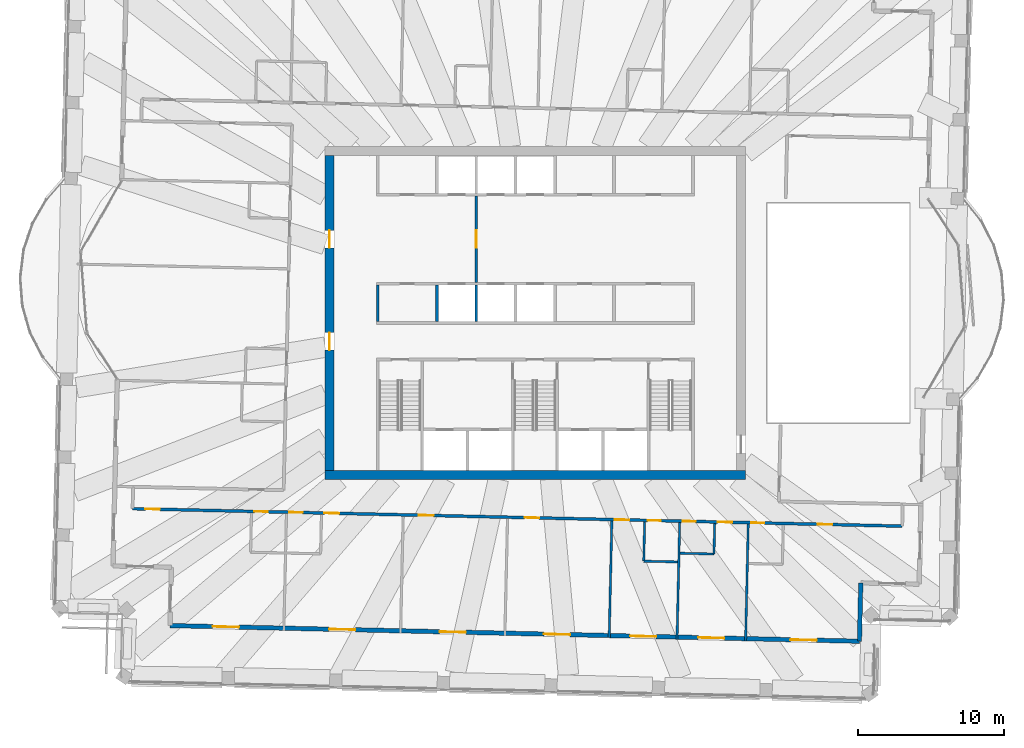
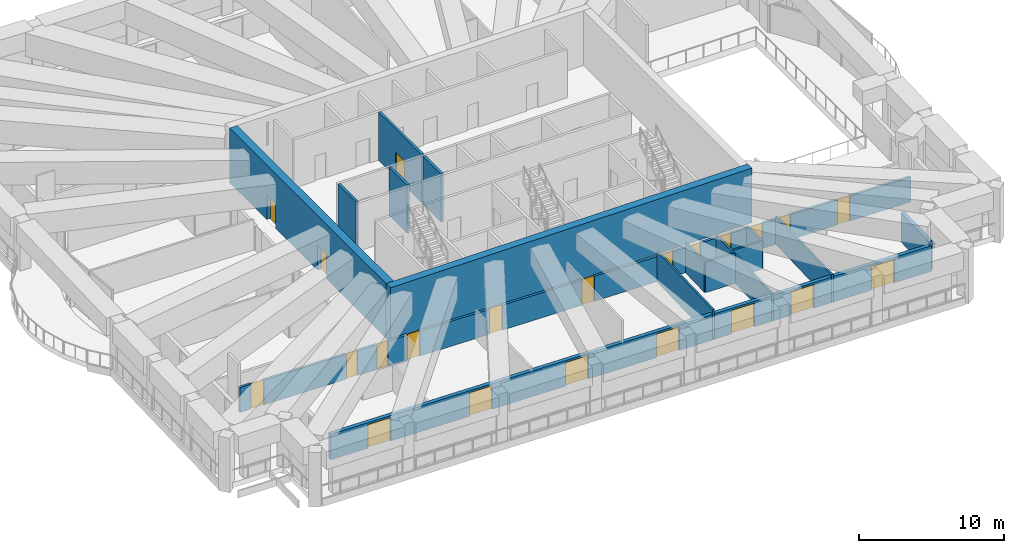
# One storey, part 10 of 21: 22 doors, 16 walls, 22 openings.
"""IFC4 building model written with IfcOpenShell, lengths in metres."""

from ifc_helpers import new_model, si_unit, direction, frame, frame_2d, origin, place, context, subcontext, project, spatial, rectangle, extrude, material, layer, layer_set, type_object, element, fill, save


model = new_model("IFC4")

# Units and contexts
model_context = context("Model", 3, precision=1e-05, world=origin(), true_north=direction((0.0, 1.0)))
body_context = subcontext(model_context, "Body", "Model", "MODEL_VIEW")
ifc_project = project(units=[si_unit("LENGTHUNIT", "METRE"), si_unit("AREAUNIT", "SQUARE_METRE"), si_unit("VOLUMEUNIT", "CUBIC_METRE"), si_unit("PLANEANGLEUNIT", "RADIAN"), si_unit("MASSUNIT", "GRAM", prefix="KILO")], contexts=[model_context])

# Site, building, storey
site_placement = place(None, origin())
site = spatial("IfcSite", under=ifc_project, at=site_placement, CompositionType="ELEMENT")
building_placement = place(site_placement, origin())
building = spatial("IfcBuilding", under=site, at=building_placement, Name="Mangrove Gate Tower", CompositionType="ELEMENT")
storey_placement = place(building_placement, frame((0.0, 0.0, 329.699951171875)))
storey = spatial("IfcBuildingStorey", under=building, at=storey_placement, Name="L84", CompositionType="ELEMENT", Elevation=329.699951171875)

# Wall, opening, door
ifc_material_1 = material(Name="Concrete C32/40", Category="concrete")
ifc_layer_1 = layer(ifc_material_1, 0.199951171875)
ifc_layer_set_1 = layer_set([ifc_layer_1], Name="Core lobby wall 200 C32/40")
wall_type_1 = type_object("IfcWallType", Name="Core lobby wall 200 C32/40", PredefinedType="STANDARD", material=ifc_layer_set_1)
wall_1_placement = place(storey_placement, frame((-4.050048828125, 2.10009765625, 0.0), z_axis=(0.0, 0.0, 1.0), x_axis=(0.0, 1.0, 0.0)))
wall_1 = element("IfcWall", 1, at=wall_1_placement, inside=storey, type_object=wall_type_1, Name="WALL-L84-CORE-33", PredefinedType="STANDARD", context=body_context, shape_type="SweptSolid", body=[
    extrude(rectangle(XDim=5.89990234375, YDim=0.199951171875, at=frame_2d((2.949951171875, 0.0))), origin(), (0.0, 0.0, 1.0), 4.050048828125),
])
opening_1_placement = place(wall_1_placement, frame((2.35009765625, 0.0, 0.0)))
opening_1 = element("IfcOpeningElement", 2, at=opening_1_placement, cuts=wall_1, Name="Opening FL12", PredefinedType="OPENING", context=body_context, shape_type="SweptSolid", body=[
    extrude(rectangle(XDim=1.199951171875, YDim=2.10009765625, at=frame_2d((0.60009765625, 1.050048828125))), frame((0.0, 0.10986328125, 0.0), z_axis=(0.0, -1.0, 0.0), x_axis=(1.0, 0.0, 0.0)), (0.0, 0.0, 1.0), 0.219970703125),
])
ifc_material_2 = material(Name="Fire-rated steel door set", Category="steel")
door_type_1 = type_object("IfcDoorType", Name="Lobby door FD60 1200x2100", OperationType="SINGLE_SWING_LEFT", PredefinedType="DOOR", material=ifc_material_2)
door_1_placement = place(opening_1_placement, origin())
door_1 = element("IfcDoor", 3, at=door_1_placement, inside=storey, type_object=door_type_1, Name="Lobby door lift lobby partition", OperationType="SINGLE_SWING_LEFT", OverallHeight=2.10009765625, OverallWidth=1.199951171875, PredefinedType="DOOR", context=body_context, shape_type="SweptSolid", body=[
    extrude(rectangle(XDim=1.199951171875, YDim=2.10009765625, at=frame_2d((0.60009765625, 1.050048828125))), frame((0.0, 0.02490234375, 0.0), z_axis=(0.0, -1.0, 0.0), x_axis=(1.0, 0.0, 0.0)), (0.0, 0.0, 1.0), 0.050048828125),
])
fill(opening_1, door_1)

# Walls
ifc_material_3 = material(Name="Concrete C32/40", Category="concrete")
ifc_layer_2 = layer(ifc_material_3, 0.199951171875)
ifc_layer_set_2 = layer_set([ifc_layer_2], Name="Core room wall 200 C32/40")
wall_type_2 = type_object("IfcWallType", Name="Core room wall 200 C32/40", PredefinedType="STANDARD", material=ifc_layer_set_2)
wall_2_placement = place(storey_placement, frame((-10.800048828125, -0.60009765625, 0.0), z_axis=(0.0, 0.0, 1.0), x_axis=(0.0, 1.0, 0.0)))
element("IfcWall", 4, at=wall_2_placement, inside=storey, type_object=wall_type_2, Name="WALL-L84-CORE-19", PredefinedType="STANDARD", context=body_context, shape_type="SweptSolid", body=[
    extrude(rectangle(XDim=2.5, YDim=0.199951171875, at=frame_2d((1.25, 0.0))), origin(), (0.0, 0.0, 1.0), 4.050048828125),
])
ifc_material_4 = material(Name="Concrete C50/60", Category="concrete")
ifc_layer_3 = layer(ifc_material_4, 0.199951171875)
ifc_layer_set_3 = layer_set([ifc_layer_3], Name="Core shaft wall 200 C50/60")
wall_type_3 = type_object("IfcWallType", Name="Core shaft wall 200 C50/60", PredefinedType="SHEAR", material=ifc_layer_set_3)
for number, where, z_axis, x_axis, name in (
    (5, (-6.75, -0.60009765625, 0.0), (0.0, 0.0, 1.0), (0.0, 1.0, 0.0), "WALL-L84-CORE-20"),
    (6, (-4.050048828125, -0.60009765625, 0.0), (0.0, 0.0, 1.0), (0.0, 1.0, 0.0), "WALL-L84-CORE-21"),
):
    element("IfcWall", number, at=place(storey_placement, frame(where, z_axis=z_axis, x_axis=x_axis)), inside=storey, type_object=wall_type_3, Name=name, PredefinedType="SHEAR", context=body_context, shape_type="SweptSolid", body=[
        extrude(rectangle(XDim=2.5, YDim=0.199951171875, at=frame_2d((1.25, 0.0))), origin(), (0.0, 0.0, 1.0), 4.050048828125),
    ])
ifc_material_5 = material(Name="Concrete C50/60", Category="concrete")
ifc_layer_4 = layer(ifc_material_5, 0.60009765625)
ifc_layer_set_4 = layer_set([ifc_layer_4], Name="Core wall 600 C50/60")
wall_type_4 = type_object("IfcWallType", Name="Core wall 600 C50/60", PredefinedType="SHEAR", material=ifc_layer_set_4)
wall_3_placement = place(storey_placement, frame((-14.39990234375, -11.10009765625, 0.0), z_axis=(0.0, 0.0, 1.0), x_axis=(1.0, 0.0, 0.0)))
element("IfcWall", 7, at=wall_3_placement, inside=storey, type_object=wall_type_4, Name="WALL-L84-CORE-1", PredefinedType="SHEAR", context=body_context, shape_type="SweptSolid", body=[
    extrude(rectangle(XDim=28.7998046875, YDim=0.60009765625, at=frame_2d((14.39990234375, 0.0))), origin(), (0.0, 0.0, 1.0), 4.60009765625),
])

# Wall, openings, doors
wall_4_placement = place(storey_placement, frame((-14.10009765625, -10.800048828125, 0.0), z_axis=(0.0, 0.0, 1.0), x_axis=(0.0, 1.0, 0.0)))
wall_4 = element("IfcWall", 8, at=wall_4_placement, inside=storey, type_object=wall_type_4, Name="WALL-L84-CORE-3", PredefinedType="SHEAR", context=body_context, shape_type="SweptSolid", body=[
    extrude(rectangle(XDim=21.60009765625, YDim=0.60009765625, at=frame_2d((10.800048828125, 0.0))), origin(), (0.0, 0.0, 1.0), 4.60009765625),
])
opening_2_placement = place(wall_4_placement, frame((8.25, 0.0, 0.0)))
opening_2 = element("IfcOpeningElement", 9, at=opening_2_placement, cuts=wall_4, Name="Opening CD", PredefinedType="OPENING", context=body_context, shape_type="SweptSolid", body=[
    extrude(rectangle(XDim=1.199951171875, YDim=2.10009765625, at=frame_2d((0.60009765625, 1.050048828125))), frame((0.0, 0.31005859375, 0.0), z_axis=(0.0, -1.0, 0.0), x_axis=(1.0, 0.0, 0.0)), (0.0, 0.0, 1.0), 0.6201171875),
])
opening_3_placement = place(wall_4_placement, frame((15.25, 0.0, 0.0)))
opening_3 = element("IfcOpeningElement", 10, at=opening_3_placement, cuts=wall_4, Name="Opening CD", PredefinedType="OPENING", context=body_context, shape_type="SweptSolid", body=[
    extrude(rectangle(XDim=1.199951171875, YDim=2.10009765625, at=frame_2d((0.60009765625, 1.050048828125))), frame((0.0, 0.31005859375, 0.0), z_axis=(0.0, -1.0, 0.0), x_axis=(1.0, 0.0, 0.0)), (0.0, 0.0, 1.0), 0.6201171875),
])
ifc_material_6 = material(Name="Fire-rated steel door set", Category="steel")
door_type_2 = type_object("IfcDoorType", Name="Core ring door FD60 1200x2100", OperationType="DOUBLE_DOOR_SINGLE_SWING", PredefinedType="DOOR", material=ifc_material_6)
door_2_placement = place(opening_2_placement, origin())
door_2 = element("IfcDoor", 11, at=door_2_placement, inside=storey, type_object=door_type_2, Name="Core ring door W1", OperationType="DOUBLE_DOOR_SINGLE_SWING", OverallHeight=2.10009765625, OverallWidth=1.199951171875, PredefinedType="DOOR", context=body_context, shape_type="SweptSolid", body=[
    extrude(rectangle(XDim=1.199951171875, YDim=2.10009765625, at=frame_2d((0.60009765625, 1.050048828125))), frame((0.0, 0.02490234375, 0.0), z_axis=(0.0, -1.0, 0.0), x_axis=(1.0, 0.0, 0.0)), (0.0, 0.0, 1.0), 0.050048828125),
])
fill(opening_2, door_2)
door_3_placement = place(opening_3_placement, origin())
door_3 = element("IfcDoor", 12, at=door_3_placement, inside=storey, type_object=door_type_2, Name="Core ring door W2", OperationType="DOUBLE_DOOR_SINGLE_SWING", OverallHeight=2.10009765625, OverallWidth=1.199951171875, PredefinedType="DOOR", context=body_context, shape_type="SweptSolid", body=[
    extrude(rectangle(XDim=1.199951171875, YDim=2.10009765625, at=frame_2d((0.60009765625, 1.050048828125))), frame((0.0, 0.02490234375, 0.0), z_axis=(0.0, -1.0, 0.0), x_axis=(1.0, 0.0, 0.0)), (0.0, 0.0, 1.0), 0.050048828125),
])
fill(opening_3, door_3)

ifc_material_7 = material(Name="Gypsum board on steel stud, EI 60", Category="steel")
ifc_layer_5 = layer(ifc_material_7, 0.199951171875)
ifc_layer_set_5 = layer_set([ifc_layer_5], Name="Corridor wall EI 60")
wall_type_5 = type_object("IfcWallType", Name="Corridor wall EI 60", PredefinedType="PARTITIONING", material=ifc_layer_set_5)
wall_5_placement = place(storey_placement, frame((-27.597900390625, -13.4140625, 0.0), z_axis=(0.0, 0.0, 1.0), x_axis=(0.999742489831, -0.022692598482, 0.0)))
wall_5 = element("IfcWall", 13, at=wall_5_placement, inside=storey, type_object=wall_type_5, Name="WALL-L84-016", PredefinedType="PARTITIONING", context=body_context, shape_type="SweptSolid", body=[
    extrude(rectangle(XDim=52.74951171875, YDim=0.199951171875, at=frame_2d((26.374755859375, 0.0))), origin(), (0.0, 0.0, 1.0), 2.10009765625),
])
opening_4_placement = place(wall_5_placement, frame((0.87109375, 0.0, 0.0)))
opening_4 = element("IfcOpeningElement", 14, at=opening_4_placement, cuts=wall_5, Name="Opening AD", PredefinedType="OPENING", context=body_context, shape_type="SweptSolid", body=[
    extrude(rectangle(XDim=1.0, YDim=2.10009765625, at=frame_2d((0.5, 1.050048828125))), frame((0.0, 0.10986328125, 0.0), z_axis=(0.0, -1.0, 0.0), x_axis=(1.0, 0.0, 0.0)), (0.0, 0.0, 1.0), 0.219970703125),
])
opening_5_placement = place(wall_5_placement, frame((8.35009765625, 0.0, 0.0)))
opening_5 = element("IfcOpeningElement", 15, at=opening_5_placement, cuts=wall_5, Name="Opening SD", PredefinedType="OPENING", context=body_context, shape_type="SweptSolid", body=[
    extrude(rectangle(XDim=0.89990234375, YDim=2.10009765625, at=frame_2d((0.449951171875, 1.050048828125))), frame((0.0, 0.10986328125, 0.0), z_axis=(0.0, -1.0, 0.0), x_axis=(1.0, 0.0, 0.0)), (0.0, 0.0, 1.0), 0.219970703125),
])
opening_6_placement = place(wall_5_placement, frame((13.14990234375, 0.0, 0.0)))
opening_6 = element("IfcOpeningElement", 16, at=opening_6_placement, cuts=wall_5, Name="Opening AD", PredefinedType="OPENING", context=body_context, shape_type="SweptSolid", body=[
    extrude(rectangle(XDim=1.0, YDim=2.10009765625, at=frame_2d((0.5, 1.050048828125))), frame((0.0, 0.10986328125, 0.0), z_axis=(0.0, -1.0, 0.0), x_axis=(1.0, 0.0, 0.0)), (0.0, 0.0, 1.0), 0.219970703125),
])
opening_7_placement = place(wall_5_placement, frame((10.75, 0.0, 0.0)))
opening_7 = element("IfcOpeningElement", 17, at=opening_7_placement, cuts=wall_5, Name="Opening SD", PredefinedType="OPENING", context=body_context, shape_type="SweptSolid", body=[
    extrude(rectangle(XDim=0.89990234375, YDim=2.10009765625, at=frame_2d((0.449951171875, 1.050048828125))), frame((0.0, 0.10986328125, 0.0), z_axis=(0.0, -1.0, 0.0), x_axis=(1.0, 0.0, 0.0)), (0.0, 0.0, 1.0), 0.219970703125),
])
opening_8_placement = place(wall_5_placement, frame((19.625, 0.0, 0.0)))
opening_8 = element("IfcOpeningElement", 18, at=opening_8_placement, cuts=wall_5, Name="Opening AD", PredefinedType="OPENING", context=body_context, shape_type="SweptSolid", body=[
    extrude(rectangle(XDim=1.0, YDim=2.10009765625, at=frame_2d((0.5, 1.050048828125))), frame((0.0, 0.10986328125, 0.0), z_axis=(0.0, -1.0, 0.0), x_axis=(1.0, 0.0, 0.0)), (0.0, 0.0, 1.0), 0.219970703125),
])
opening_9_placement = place(wall_5_placement, frame((26.8740234375, 0.0, 0.0)))
opening_9 = element("IfcOpeningElement", 19, at=opening_9_placement, cuts=wall_5, Name="Opening AD", PredefinedType="OPENING", context=body_context, shape_type="SweptSolid", body=[
    extrude(rectangle(XDim=1.0, YDim=2.10009765625, at=frame_2d((0.5, 1.050048828125))), frame((0.0, 0.10986328125, 0.0), z_axis=(0.0, -1.0, 0.0), x_axis=(1.0, 0.0, 0.0)), (0.0, 0.0, 1.0), 0.219970703125),
])
opening_10_placement = place(wall_5_placement, frame((33.050048828125, 0.0, 0.0)))
opening_10 = element("IfcOpeningElement", 20, at=opening_10_placement, cuts=wall_5, Name="Opening AD", PredefinedType="OPENING", context=body_context, shape_type="SweptSolid", body=[
    extrude(rectangle(XDim=1.0, YDim=2.10009765625, at=frame_2d((0.5, 1.050048828125))), frame((0.0, 0.10986328125, 0.0), z_axis=(0.0, -1.0, 0.0), x_axis=(1.0, 0.0, 0.0)), (0.0, 0.0, 1.0), 0.219970703125),
])
opening_11_placement = place(wall_5_placement, frame((35.300048828125, 0.0, 0.0)))
opening_11 = element("IfcOpeningElement", 21, at=opening_11_placement, cuts=wall_5, Name="Opening SD", PredefinedType="OPENING", context=body_context, shape_type="SweptSolid", body=[
    extrude(rectangle(XDim=0.89990234375, YDim=2.10009765625, at=frame_2d((0.449951171875, 1.050048828125))), frame((0.0, 0.10986328125, 0.0), z_axis=(0.0, -1.0, 0.0), x_axis=(1.0, 0.0, 0.0)), (0.0, 0.0, 1.0), 0.219970703125),
])
opening_12_placement = place(wall_5_placement, frame((40.10009765625, 0.0, 0.0)))
opening_12 = element("IfcOpeningElement", 22, at=opening_12_placement, cuts=wall_5, Name="Opening AD", PredefinedType="OPENING", context=body_context, shape_type="SweptSolid", body=[
    extrude(rectangle(XDim=1.0, YDim=2.10009765625, at=frame_2d((0.5, 1.050048828125))), frame((0.0, 0.10986328125, 0.0), z_axis=(0.0, -1.0, 0.0), x_axis=(1.0, 0.0, 0.0)), (0.0, 0.0, 1.0), 0.219970703125),
])
opening_13_placement = place(wall_5_placement, frame((37.699951171875, 0.0, 0.0)))
opening_13 = element("IfcOpeningElement", 23, at=opening_13_placement, cuts=wall_5, Name="Opening SD", PredefinedType="OPENING", context=body_context, shape_type="SweptSolid", body=[
    extrude(rectangle(XDim=0.89990234375, YDim=2.10009765625, at=frame_2d((0.449951171875, 1.050048828125))), frame((0.0, 0.10986328125, 0.0), z_axis=(0.0, -1.0, 0.0), x_axis=(1.0, 0.0, 0.0)), (0.0, 0.0, 1.0), 0.219970703125),
])
opening_14_placement = place(wall_5_placement, frame((46.964111328125, 0.0, 0.0)))
opening_14 = element("IfcOpeningElement", 24, at=opening_14_placement, cuts=wall_5, Name="Opening AD", PredefinedType="OPENING", context=body_context, shape_type="SweptSolid", body=[
    extrude(rectangle(XDim=1.0, YDim=2.10009765625, at=frame_2d((0.5, 1.050048828125))), frame((0.0, 0.10986328125, 0.0), z_axis=(0.0, -1.0, 0.0), x_axis=(1.0, 0.0, 0.0)), (0.0, 0.0, 1.0), 0.219970703125),
])
opening_15_placement = place(wall_5_placement, frame((42.39990234375, 0.0, 0.0)))
opening_15 = element("IfcOpeningElement", 25, at=opening_15_placement, cuts=wall_5, Name="Opening SD", PredefinedType="OPENING", context=body_context, shape_type="SweptSolid", body=[
    extrude(rectangle(XDim=0.89990234375, YDim=2.10009765625, at=frame_2d((0.449951171875, 1.050048828125))), frame((0.0, 0.10986328125, 0.0), z_axis=(0.0, -1.0, 0.0), x_axis=(1.0, 0.0, 0.0)), (0.0, 0.0, 1.0), 0.219970703125),
])
ifc_material_8 = material(Name="Timber door leaf", Category="wood")
door_type_3 = type_object("IfcDoorType", Name="Amenity door 1000", OperationType="SINGLE_SWING_LEFT", PredefinedType="DOOR", material=ifc_material_8)
door_4_placement = place(opening_4_placement, origin())
door_4 = element("IfcDoor", 26, at=door_4_placement, inside=storey, type_object=door_type_3, Name="DOOR-L84-LNG-c1a", OperationType="SINGLE_SWING_LEFT", OverallHeight=2.10009765625, OverallWidth=1.0, PredefinedType="DOOR", context=body_context, shape_type="SweptSolid", body=[
    extrude(rectangle(XDim=1.0, YDim=2.10009765625, at=frame_2d((0.5, 1.050048828125))), frame((0.0, 0.02490234375, 0.0), z_axis=(0.0, -1.0, 0.0), x_axis=(1.0, 0.0, 0.0)), (0.0, 0.0, 1.0), 0.050048828125),
])
fill(opening_4, door_4)
door_5_placement = place(opening_6_placement, origin())
door_5 = element("IfcDoor", 27, at=door_5_placement, inside=storey, type_object=door_type_3, Name="DOOR-L84-LNG-c1b", OperationType="SINGLE_SWING_RIGHT", OverallHeight=2.10009765625, OverallWidth=1.0, PredefinedType="DOOR", context=body_context, shape_type="SweptSolid", body=[
    extrude(rectangle(XDim=1.0, YDim=2.10009765625, at=frame_2d((0.5, 1.050048828125))), frame((0.0, 0.02490234375, 0.0), z_axis=(0.0, -1.0, 0.0), x_axis=(1.0, 0.0, 0.0)), (0.0, 0.0, 1.0), 0.050048828125),
])
fill(opening_6, door_5)
door_6_placement = place(opening_8_placement, origin())
door_6 = element("IfcDoor", 28, at=door_6_placement, inside=storey, type_object=door_type_3, Name="DOOR-L84-GAM-c1a", OperationType="SINGLE_SWING_LEFT", OverallHeight=2.10009765625, OverallWidth=1.0, PredefinedType="DOOR", context=body_context, shape_type="SweptSolid", body=[
    extrude(rectangle(XDim=1.0, YDim=2.10009765625, at=frame_2d((0.5, 1.050048828125))), frame((0.0, 0.02490234375, 0.0), z_axis=(0.0, -1.0, 0.0), x_axis=(1.0, 0.0, 0.0)), (0.0, 0.0, 1.0), 0.050048828125),
])
fill(opening_8, door_6)
door_7_placement = place(opening_9_placement, origin())
door_7 = element("IfcDoor", 29, at=door_7_placement, inside=storey, type_object=door_type_3, Name="DOOR-L84-GAM-c1b", OperationType="SINGLE_SWING_RIGHT", OverallHeight=2.10009765625, OverallWidth=1.0, PredefinedType="DOOR", context=body_context, shape_type="SweptSolid", body=[
    extrude(rectangle(XDim=1.0, YDim=2.10009765625, at=frame_2d((0.5, 1.050048828125))), frame((0.0, 0.02490234375, 0.0), z_axis=(0.0, -1.0, 0.0), x_axis=(1.0, 0.0, 0.0)), (0.0, 0.0, 1.0), 0.050048828125),
])
fill(opening_9, door_7)
door_8_placement = place(opening_10_placement, origin())
door_8 = element("IfcDoor", 30, at=door_8_placement, inside=storey, type_object=door_type_3, Name="DOOR-L84-STU-c2a", OperationType="SINGLE_SWING_LEFT", OverallHeight=2.10009765625, OverallWidth=1.0, PredefinedType="DOOR", context=body_context, shape_type="SweptSolid", body=[
    extrude(rectangle(XDim=1.0, YDim=2.10009765625, at=frame_2d((0.5, 1.050048828125))), frame((0.0, 0.02490234375, 0.0), z_axis=(0.0, -1.0, 0.0), x_axis=(1.0, 0.0, 0.0)), (0.0, 0.0, 1.0), 0.050048828125),
])
fill(opening_10, door_8)
door_9_placement = place(opening_12_placement, origin())
door_9 = element("IfcDoor", 31, at=door_9_placement, inside=storey, type_object=door_type_3, Name="DOOR-L84-STU-c2b", OperationType="SINGLE_SWING_RIGHT", OverallHeight=2.10009765625, OverallWidth=1.0, PredefinedType="DOOR", context=body_context, shape_type="SweptSolid", body=[
    extrude(rectangle(XDim=1.0, YDim=2.10009765625, at=frame_2d((0.5, 1.050048828125))), frame((0.0, 0.02490234375, 0.0), z_axis=(0.0, -1.0, 0.0), x_axis=(1.0, 0.0, 0.0)), (0.0, 0.0, 1.0), 0.050048828125),
])
fill(opening_12, door_9)
door_10_placement = place(opening_14_placement, origin())
door_10 = element("IfcDoor", 32, at=door_10_placement, inside=storey, type_object=door_type_3, Name="DOOR-L84-LNG-c2a", OperationType="SINGLE_SWING_LEFT", OverallHeight=2.10009765625, OverallWidth=1.0, PredefinedType="DOOR", context=body_context, shape_type="SweptSolid", body=[
    extrude(rectangle(XDim=1.0, YDim=2.10009765625, at=frame_2d((0.5, 1.050048828125))), frame((0.0, 0.02490234375, 0.0), z_axis=(0.0, -1.0, 0.0), x_axis=(1.0, 0.0, 0.0)), (0.0, 0.0, 1.0), 0.050048828125),
])
fill(opening_14, door_10)
ifc_material_9 = material(Name="Timber door leaf", Category="wood")
door_type_4 = type_object("IfcDoorType", Name="Service room door 900", OperationType="SINGLE_SWING_LEFT", PredefinedType="DOOR", material=ifc_material_9)
door_11_placement = place(opening_5_placement, origin())
door_11 = element("IfcDoor", 33, at=door_11_placement, inside=storey, type_object=door_type_4, Name="DOOR-L84-WC-c1a", OperationType="SINGLE_SWING_LEFT", OverallHeight=2.10009765625, OverallWidth=0.89990234375, PredefinedType="DOOR", context=body_context, shape_type="SweptSolid", body=[
    extrude(rectangle(XDim=0.89990234375, YDim=2.10009765625, at=frame_2d((0.449951171875, 1.050048828125))), frame((0.0, 0.02490234375, 0.0), z_axis=(0.0, -1.0, 0.0), x_axis=(1.0, 0.0, 0.0)), (0.0, 0.0, 1.0), 0.050048828125),
])
fill(opening_5, door_11)
door_12_placement = place(opening_7_placement, origin())
door_12 = element("IfcDoor", 34, at=door_12_placement, inside=storey, type_object=door_type_4, Name="DOOR-L84-WC-c1b", OperationType="SINGLE_SWING_RIGHT", OverallHeight=2.10009765625, OverallWidth=0.89990234375, PredefinedType="DOOR", context=body_context, shape_type="SweptSolid", body=[
    extrude(rectangle(XDim=0.89990234375, YDim=2.10009765625, at=frame_2d((0.449951171875, 1.050048828125))), frame((0.0, 0.02490234375, 0.0), z_axis=(0.0, -1.0, 0.0), x_axis=(1.0, 0.0, 0.0)), (0.0, 0.0, 1.0), 0.050048828125),
])
fill(opening_7, door_12)
door_13_placement = place(opening_11_placement, origin())
door_13 = element("IfcDoor", 35, at=door_13_placement, inside=storey, type_object=door_type_4, Name="DOOR-L84-WC-c2a", OperationType="SINGLE_SWING_LEFT", OverallHeight=2.10009765625, OverallWidth=0.89990234375, PredefinedType="DOOR", context=body_context, shape_type="SweptSolid", body=[
    extrude(rectangle(XDim=0.89990234375, YDim=2.10009765625, at=frame_2d((0.449951171875, 1.050048828125))), frame((0.0, 0.02490234375, 0.0), z_axis=(0.0, -1.0, 0.0), x_axis=(1.0, 0.0, 0.0)), (0.0, 0.0, 1.0), 0.050048828125),
])
fill(opening_11, door_13)
door_14_placement = place(opening_13_placement, origin())
door_14 = element("IfcDoor", 36, at=door_14_placement, inside=storey, type_object=door_type_4, Name="DOOR-L84-LIN-c2a", OperationType="SINGLE_SWING_RIGHT", OverallHeight=2.10009765625, OverallWidth=0.89990234375, PredefinedType="DOOR", context=body_context, shape_type="SweptSolid", body=[
    extrude(rectangle(XDim=0.89990234375, YDim=2.10009765625, at=frame_2d((0.449951171875, 1.050048828125))), frame((0.0, 0.02490234375, 0.0), z_axis=(0.0, -1.0, 0.0), x_axis=(1.0, 0.0, 0.0)), (0.0, 0.0, 1.0), 0.050048828125),
])
fill(opening_13, door_14)
door_15_placement = place(opening_15_placement, origin())
door_15 = element("IfcDoor", 37, at=door_15_placement, inside=storey, type_object=door_type_4, Name="DOOR-L84-WC-c2b", OperationType="SINGLE_SWING_LEFT", OverallHeight=2.10009765625, OverallWidth=0.89990234375, PredefinedType="DOOR", context=body_context, shape_type="SweptSolid", body=[
    extrude(rectangle(XDim=0.89990234375, YDim=2.10009765625, at=frame_2d((0.449951171875, 1.050048828125))), frame((0.0, 0.02490234375, 0.0), z_axis=(0.0, -1.0, 0.0), x_axis=(1.0, 0.0, 0.0)), (0.0, 0.0, 1.0), 0.050048828125),
])
fill(opening_15, door_15)

ifc_material_10 = material(Name="Limestone", Category="masonry")
ifc_layer_6 = layer(ifc_material_10, 0.0400390625, Name="Limestone cladding")
ifc_material_11 = material(Name="Ventilated air gap")
ifc_layer_7 = layer(ifc_material_11, 0.0400390625, Name="Ventilated cavity")
ifc_material_12 = material(Name="Mineral wool insulation")
ifc_layer_8 = layer(ifc_material_12, 0.06005859375, Name="Insulation")
ifc_material_13 = material(Name="Breather membrane")
ifc_layer_9 = layer(ifc_material_13, 0.001953125, Name="Breather membrane")
ifc_material_14 = material(Name="Concrete C20/25 blockwork", Category="masonry")
ifc_layer_10 = layer(ifc_material_14, 0.14990234375, Name="Blockwork backing wall")
ifc_material_15 = material(Name="Gypsum plaster")
ifc_layer_11 = layer(ifc_material_15, 0.008056640625, Name="Internal plaster")
ifc_layer_set_6 = layer_set([ifc_layer_6, ifc_layer_7, ifc_layer_8, ifc_layer_9, ifc_layer_10, ifc_layer_11], Name="External wall 300 limestone cladding")
wall_type_6 = type_object("IfcWallType", Name="External wall 300 limestone cladding", PredefinedType="SOLIDWALL", material=ifc_layer_set_6)
wall_6_placement = place(storey_placement, frame((-25.030029296875, -21.424072265625, 0.0), z_axis=(0.0, 0.0, 1.0), x_axis=(0.9997425899, -0.022688189451, 0.0)))
wall_6 = element("IfcWall", 38, at=wall_6_placement, inside=storey, type_object=wall_type_6, Name="WALL-L84-S13", PredefinedType="SOLIDWALL", context=body_context, shape_type="SweptSolid", body=[
    extrude(rectangle(XDim=47.250244140625, YDim=0.300048828125, at=frame_2d((23.625, 0.0))), origin(), (0.0, 0.0, 1.0), 2.150146484375),
])
opening_16_placement = place(wall_6_placement, frame((2.925048828125, 0.0, 0.0)))
opening_16 = element("IfcOpeningElement", 39, at=opening_16_placement, cuts=wall_6, Name="Opening TD2", PredefinedType="OPENING", context=body_context, shape_type="SweptSolid", body=[
    extrude(rectangle(XDim=1.800048828125, YDim=2.0, at=frame_2d((0.89990234375, 1.0))), frame((0.0, 0.159912109375, 0.0), z_axis=(0.0, -1.0, 0.0), x_axis=(1.0, 0.0, 0.0)), (0.0, 0.0, 1.0), 0.320068359375),
])
opening_17_placement = place(wall_6_placement, frame((10.89990234375, 0.0, 0.0)))
opening_17 = element("IfcOpeningElement", 40, at=opening_17_placement, cuts=wall_6, Name="Opening TD2", PredefinedType="OPENING", context=body_context, shape_type="SweptSolid", body=[
    extrude(rectangle(XDim=1.800048828125, YDim=2.0, at=frame_2d((0.89990234375, 1.0))), frame((0.0, 0.159912109375, 0.0), z_axis=(0.0, -1.0, 0.0), x_axis=(1.0, 0.0, 0.0)), (0.0, 0.0, 1.0), 0.320068359375),
])
opening_18_placement = place(wall_6_placement, frame((18.47509765625, 0.0, 0.0)))
opening_18 = element("IfcOpeningElement", 41, at=opening_18_placement, cuts=wall_6, Name="Opening TD2", PredefinedType="OPENING", context=body_context, shape_type="SweptSolid", body=[
    extrude(rectangle(XDim=1.800048828125, YDim=2.0, at=frame_2d((0.89990234375, 1.0))), frame((0.0, 0.159912109375, 0.0), z_axis=(0.0, -1.0, 0.0), x_axis=(1.0, 0.0, 0.0)), (0.0, 0.0, 1.0), 0.320068359375),
])
opening_19_placement = place(wall_6_placement, frame((25.625, 0.0, 0.0)))
opening_19 = element("IfcOpeningElement", 42, at=opening_19_placement, cuts=wall_6, Name="Opening TD2", PredefinedType="OPENING", context=body_context, shape_type="SweptSolid", body=[
    extrude(rectangle(XDim=1.800048828125, YDim=2.0, at=frame_2d((0.89990234375, 1.0))), frame((0.0, 0.159912109375, 0.0), z_axis=(0.0, -1.0, 0.0), x_axis=(1.0, 0.0, 0.0)), (0.0, 0.0, 1.0), 0.320068359375),
])
opening_20_placement = place(wall_6_placement, frame((31.52490234375, 0.0, 0.0)))
opening_20 = element("IfcOpeningElement", 43, at=opening_20_placement, cuts=wall_6, Name="Opening TD2", PredefinedType="OPENING", context=body_context, shape_type="SweptSolid", body=[
    extrude(rectangle(XDim=1.800048828125, YDim=2.0, at=frame_2d((0.89990234375, 1.0))), frame((0.0, 0.159912109375, 0.0), z_axis=(0.0, -1.0, 0.0), x_axis=(1.0, 0.0, 0.0)), (0.0, 0.0, 1.0), 0.320068359375),
])
opening_21_placement = place(wall_6_placement, frame((36.199951171875, 0.0, 0.0)))
opening_21 = element("IfcOpeningElement", 44, at=opening_21_placement, cuts=wall_6, Name="Opening TD2", PredefinedType="OPENING", context=body_context, shape_type="SweptSolid", body=[
    extrude(rectangle(XDim=1.800048828125, YDim=2.0, at=frame_2d((0.89990234375, 1.0))), frame((0.0, 0.159912109375, 0.0), z_axis=(0.0, -1.0, 0.0), x_axis=(1.0, 0.0, 0.0)), (0.0, 0.0, 1.0), 0.320068359375),
])
opening_22_placement = place(wall_6_placement, frame((42.52490234375, 0.0, 0.0)))
opening_22 = element("IfcOpeningElement", 45, at=opening_22_placement, cuts=wall_6, Name="Opening TD2", PredefinedType="OPENING", context=body_context, shape_type="SweptSolid", body=[
    extrude(rectangle(XDim=1.800048828125, YDim=2.0, at=frame_2d((0.89990234375, 1.0))), frame((0.0, 0.159912109375, 0.0), z_axis=(0.0, -1.0, 0.0), x_axis=(1.0, 0.0, 0.0)), (0.0, 0.0, 1.0), 0.320068359375),
])
ifc_material_16 = material(Name="Aluminium frame with laminated clear glass", Category="aluminium")
door_type_5 = type_object("IfcDoorType", Name="Terrace door 1800x2000", OperationType="DOUBLE_DOOR_SINGLE_SWING", PredefinedType="DOOR", material=ifc_material_16)
door_16_placement = place(opening_16_placement, origin())
door_16 = element("IfcDoor", 46, at=door_16_placement, inside=storey, type_object=door_type_5, Name="DOOR-L84-S13-1", OperationType="DOUBLE_DOOR_SINGLE_SWING", OverallHeight=2.0, OverallWidth=1.800048828125, PredefinedType="DOOR", context=body_context, shape_type="SweptSolid", body=[
    extrude(rectangle(XDim=1.800048828125, YDim=2.0, at=frame_2d((0.89990234375, 1.0))), frame((0.0, 0.02490234375, 0.0), z_axis=(0.0, -1.0, 0.0), x_axis=(1.0, 0.0, 0.0)), (0.0, 0.0, 1.0), 0.050048828125),
])
fill(opening_16, door_16)
door_17_placement = place(opening_17_placement, origin())
door_17 = element("IfcDoor", 47, at=door_17_placement, inside=storey, type_object=door_type_5, Name="DOOR-L84-S13-2", OperationType="DOUBLE_DOOR_SINGLE_SWING", OverallHeight=2.0, OverallWidth=1.800048828125, PredefinedType="DOOR", context=body_context, shape_type="SweptSolid", body=[
    extrude(rectangle(XDim=1.800048828125, YDim=2.0, at=frame_2d((0.89990234375, 1.0))), frame((0.0, 0.02490234375, 0.0), z_axis=(0.0, -1.0, 0.0), x_axis=(1.0, 0.0, 0.0)), (0.0, 0.0, 1.0), 0.050048828125),
])
fill(opening_17, door_17)
door_18_placement = place(opening_18_placement, origin())
door_18 = element("IfcDoor", 48, at=door_18_placement, inside=storey, type_object=door_type_5, Name="DOOR-L84-S13-3", OperationType="DOUBLE_DOOR_SINGLE_SWING", OverallHeight=2.0, OverallWidth=1.800048828125, PredefinedType="DOOR", context=body_context, shape_type="SweptSolid", body=[
    extrude(rectangle(XDim=1.800048828125, YDim=2.0, at=frame_2d((0.89990234375, 1.0))), frame((0.0, 0.02490234375, 0.0), z_axis=(0.0, -1.0, 0.0), x_axis=(1.0, 0.0, 0.0)), (0.0, 0.0, 1.0), 0.050048828125),
])
fill(opening_18, door_18)
door_19_placement = place(opening_19_placement, origin())
door_19 = element("IfcDoor", 49, at=door_19_placement, inside=storey, type_object=door_type_5, Name="DOOR-L84-S13-4", OperationType="DOUBLE_DOOR_SINGLE_SWING", OverallHeight=2.0, OverallWidth=1.800048828125, PredefinedType="DOOR", context=body_context, shape_type="SweptSolid", body=[
    extrude(rectangle(XDim=1.800048828125, YDim=2.0, at=frame_2d((0.89990234375, 1.0))), frame((0.0, 0.02490234375, 0.0), z_axis=(0.0, -1.0, 0.0), x_axis=(1.0, 0.0, 0.0)), (0.0, 0.0, 1.0), 0.050048828125),
])
fill(opening_19, door_19)
door_20_placement = place(opening_20_placement, origin())
door_20 = element("IfcDoor", 50, at=door_20_placement, inside=storey, type_object=door_type_5, Name="DOOR-L84-S13-5", OperationType="DOUBLE_DOOR_SINGLE_SWING", OverallHeight=2.0, OverallWidth=1.800048828125, PredefinedType="DOOR", context=body_context, shape_type="SweptSolid", body=[
    extrude(rectangle(XDim=1.800048828125, YDim=2.0, at=frame_2d((0.89990234375, 1.0))), frame((0.0, 0.02490234375, 0.0), z_axis=(0.0, -1.0, 0.0), x_axis=(1.0, 0.0, 0.0)), (0.0, 0.0, 1.0), 0.050048828125),
])
fill(opening_20, door_20)
door_21_placement = place(opening_21_placement, origin())
door_21 = element("IfcDoor", 51, at=door_21_placement, inside=storey, type_object=door_type_5, Name="DOOR-L84-S13-6", OperationType="DOUBLE_DOOR_SINGLE_SWING", OverallHeight=2.0, OverallWidth=1.800048828125, PredefinedType="DOOR", context=body_context, shape_type="SweptSolid", body=[
    extrude(rectangle(XDim=1.800048828125, YDim=2.0, at=frame_2d((0.89990234375, 1.0))), frame((0.0, 0.02490234375, 0.0), z_axis=(0.0, -1.0, 0.0), x_axis=(1.0, 0.0, 0.0)), (0.0, 0.0, 1.0), 0.050048828125),
])
fill(opening_21, door_21)
door_22_placement = place(opening_22_placement, origin())
door_22 = element("IfcDoor", 52, at=door_22_placement, inside=storey, type_object=door_type_5, Name="DOOR-L84-S13-7", OperationType="DOUBLE_DOOR_SINGLE_SWING", OverallHeight=2.0, OverallWidth=1.800048828125, PredefinedType="DOOR", context=body_context, shape_type="SweptSolid", body=[
    extrude(rectangle(XDim=1.800048828125, YDim=2.0, at=frame_2d((0.89990234375, 1.0))), frame((0.0, 0.02490234375, 0.0), z_axis=(0.0, -1.0, 0.0), x_axis=(1.0, 0.0, 0.0)), (0.0, 0.0, 1.0), 0.050048828125),
])
fill(opening_22, door_22)

# Walls
wall_7_placement = place(storey_placement, frame((22.2080078125, -22.49609375, 0.0), z_axis=(0.0, 0.0, 1.0), x_axis=(0.022765770952, 0.999740826251, 0.0)))
element("IfcWall", 53, at=wall_7_placement, inside=storey, type_object=wall_type_6, Name="WALL-L84-E14", PredefinedType="SOLIDWALL", context=body_context, shape_type="SweptSolid", body=[
    extrude(rectangle(XDim=4.0, YDim=0.300048828125, at=frame_2d((2.0, 0.0))), origin(), (0.0, 0.0, 1.0), 2.449951171875),
])
ifc_material_17 = material(Name="Gypsum board on steel stud, EI 60", Category="steel")
ifc_layer_12 = layer(ifc_material_17, 0.14990234375)
ifc_layer_set_7 = layer_set([ifc_layer_12], Name="Party wall 150 EI 60")
wall_type_7 = type_object("IfcWallType", Name="Party wall 150 EI 60", PredefinedType="PARTITIONING", material=ifc_layer_set_7)
wall_8_placement = place(storey_placement, frame((5.05908203125, -22.257080078125, 0.0), z_axis=(0.0, 0.0, 1.0), x_axis=(0.022735269617, 0.999741520352, 0.0)))
element("IfcWall", 54, at=wall_8_placement, inside=storey, type_object=wall_type_7, Name="WALL-L84-004", PredefinedType="PARTITIONING", context=body_context, shape_type="SweptSolid", body=[
    extrude(rectangle(XDim=8.0, YDim=0.14990234375, at=frame_2d((4.0, 0.0))), origin(), (0.0, 0.0, 1.0), 2.550048828125),
])
for number, where, z_axis, x_axis, name in (
    (55, (9.7080078125, -22.363037109375, 0.0), (0.0, 0.0, 1.0), (0.022735269617, 0.999741520352, 0.0), "WALL-L84-005"),
    (56, (14.406982421875, -22.468994140625, 0.0), (0.0, 0.0, 1.0), (0.022613263645, 0.999744287459, 0.0), "WALL-L84-006"),
):
    element("IfcWall", number, at=place(storey_placement, frame(where, z_axis=z_axis, x_axis=x_axis)), inside=storey, type_object=wall_type_7, Name=name, PredefinedType="PARTITIONING", context=body_context, shape_type="SweptSolid", body=[
        extrude(rectangle(XDim=8.0, YDim=0.14990234375, at=frame_2d((4.0, 0.0))), origin(), (0.0, 0.0, 1.0), 2.35009765625),
    ])
wall_9_placement = place(storey_placement, frame((7.428955078125, -17.010009765625, 0.0), z_axis=(0.0, 0.0, 1.0), x_axis=(0.999749744571, -0.022370700241, 0.0)))
element("IfcWall", 57, at=wall_9_placement, inside=storey, type_object=wall_type_7, Name="WALL-L84-010", PredefinedType="PARTITIONING", context=body_context, shape_type="SweptSolid", body=[
    extrude(rectangle(XDim=2.324462890625, YDim=0.14990234375, at=frame_2d((1.162109375, 0.0))), origin(), (0.0, 0.0, 1.0), 2.550048828125),
])
wall_10_placement = place(storey_placement, frame((7.428955078125, -17.010009765625, 0.0), z_axis=(0.0, 0.0, 1.0), x_axis=(0.022600248254, 0.99974458177, 0.0)))
element("IfcWall", 58, at=wall_10_placement, inside=storey, type_object=wall_type_7, Name="WALL-L84-011", PredefinedType="PARTITIONING", context=body_context, shape_type="SweptSolid", body=[
    extrude(rectangle(XDim=2.70068359375, YDim=0.14990234375, at=frame_2d((1.350341796875, 0.0))), origin(), (0.0, 0.0, 1.0), 2.550048828125),
])
wall_11_placement = place(storey_placement, frame((9.9169921875, -16.466064453125, 0.0), z_axis=(0.0, 0.0, 1.0), x_axis=(0.999740260747, -0.02279059109, 0.0)))
element("IfcWall", 59, at=wall_11_placement, inside=storey, type_object=wall_type_7, Name="WALL-L84-014", PredefinedType="PARTITIONING", context=body_context, shape_type="SweptSolid", body=[
    extrude(rectangle(XDim=2.324462890625, YDim=0.14990234375, at=frame_2d((1.162109375, 0.0))), origin(), (0.0, 0.0, 1.0), 2.35009765625),
])
wall_12_placement = place(storey_placement, frame((12.240966796875, -16.51904296875, 0.0), z_axis=(0.0, 0.0, 1.0), x_axis=(0.022895647347, 0.999737860308, 0.0)))
element("IfcWall", 60, at=wall_12_placement, inside=storey, type_object=wall_type_7, Name="WALL-L84-015", PredefinedType="PARTITIONING", context=body_context, shape_type="SweptSolid", body=[
    extrude(rectangle(XDim=2.1005859375, YDim=0.14990234375, at=frame_2d((1.05029296875, 0.0))), origin(), (0.0, 0.0, 1.0), 2.35009765625),
])

save(model, "model.ifc")
